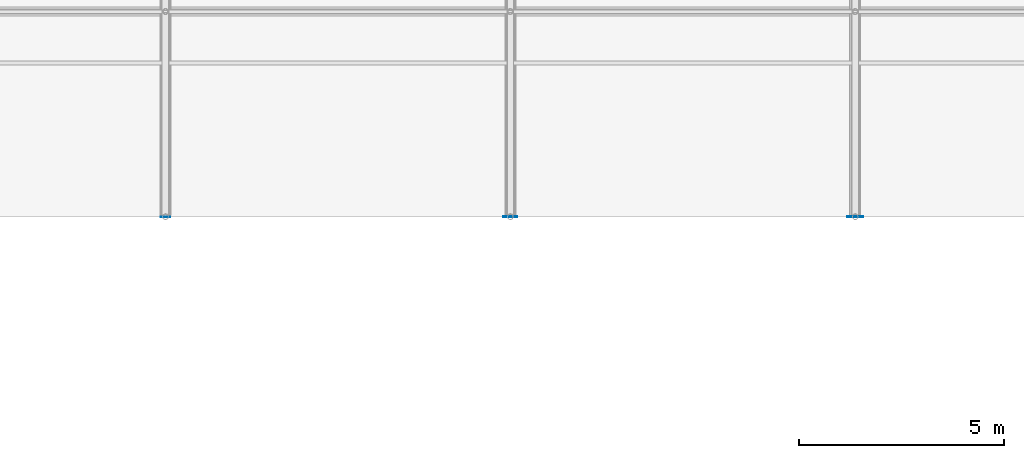
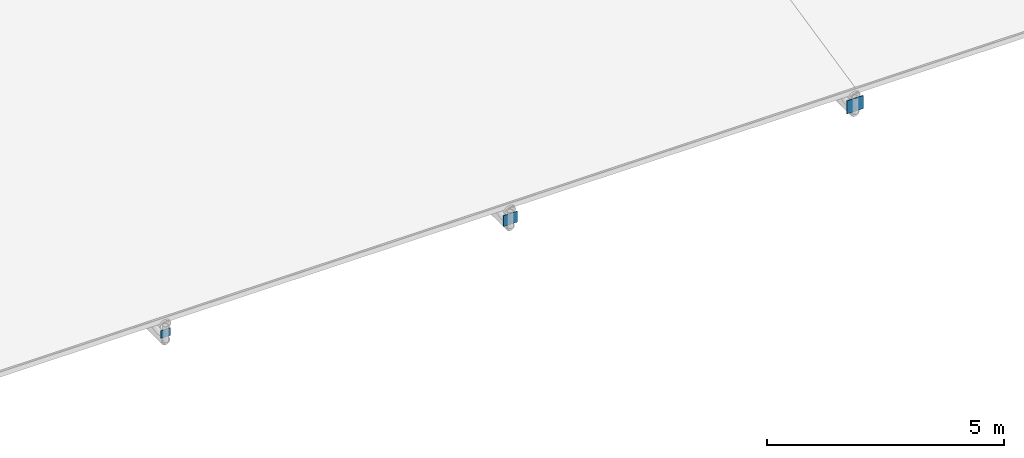
# One storey, part 169 of 194: 3 plates.
"""IFC4 building model written with IfcOpenShell, lengths in metres."""

from ifc_helpers import new_model, si_unit, direction, frame, origin, origin_2d, place, context, subcontext, project, spatial, rectangle, extrude, material, layer, layer_set, type_object, element, save


model = new_model("IFC4")

# Units and contexts
model_context = context("Model", 3, precision=1e-05, world=origin(), true_north=direction((0.0, 1.0)))
body_context = subcontext(model_context, "Body", "Model", "MODEL_VIEW")
ifc_project = project(units=[si_unit("LENGTHUNIT", "METRE"), si_unit("AREAUNIT", "SQUARE_METRE"), si_unit("VOLUMEUNIT", "CUBIC_METRE"), si_unit("PLANEANGLEUNIT", "RADIAN"), si_unit("MASSUNIT", "GRAM", prefix="KILO")], contexts=[model_context])

# Site, building, storey
site_placement = place(None, origin())
site = spatial("IfcSite", under=ifc_project, at=site_placement, CompositionType="ELEMENT")
building_placement = place(site_placement, origin())
building = spatial("IfcBuilding", under=site, at=building_placement, Name="Kazenagashi Tramway Depot", CompositionType="ELEMENT")
storey_placement = place(building_placement, frame((0.0, 0.0, 23.7)))
storey = spatial("IfcBuildingStorey", under=building, at=storey_placement, Name="ROOF", CompositionType="ELEMENT", Elevation=23.7)

# Plates
ifc_material = material(Name="Steel STK490", Category="steel")
ifc_layer_1 = layer(ifc_material, 0.012)
ifc_layer_set_1 = layer_set([ifc_layer_1], Name="Steel STK490")
plate_type_1 = type_object("IfcPlateType", Name="EC-08", PredefinedType="USERDEFINED", material=ifc_layer_set_1)
plate_1_placement = place(storey_placement, frame((103.6, 70.0, -14.0), z_axis=(0.0, 0.0, 1.0), x_axis=(1.0, 0.0, 0.0)))
element("IfcPlate", 1, at=plate_1_placement, inside=storey, type_object=plate_type_1, Name="Structural Node Plate EC-08 PLT-0031", ObjectType="END CAP PLATE", PredefinedType="USERDEFINED", context=body_context, shape_type="SweptSolid", body=[
    extrude(rectangle(XDim=0.24, YDim=0.012, at=origin_2d()), origin(), (0.0, 0.0, 1.0), 0.2),
])
ifc_layer_2 = layer(ifc_material, 0.015)
ifc_layer_set_2 = layer_set([ifc_layer_2], Name="Steel STK490")
plate_type_2 = type_object("IfcPlateType", Name="EC-09", PredefinedType="USERDEFINED", material=ifc_layer_set_2)
plate_2_placement = place(storey_placement, frame((112.0, 70.0, -14.04), z_axis=(0.0, 0.0, 1.0), x_axis=(1.0, 0.0, 0.0)))
element("IfcPlate", 2, at=plate_2_placement, inside=storey, type_object=plate_type_2, Name="Structural Node Plate EC-09 PLT-0035", ObjectType="END CAP PLATE", PredefinedType="USERDEFINED", context=body_context, shape_type="SweptSolid", body=[
    extrude(rectangle(XDim=0.34, YDim=0.015, at=origin_2d()), origin(), (0.0, 0.0, 1.0), 0.28),
])
ifc_layer_3 = layer(ifc_material, 0.018)
ifc_layer_set_3 = layer_set([ifc_layer_3], Name="Steel STK490")
plate_type_3 = type_object("IfcPlateType", Name="EC-10", PredefinedType="USERDEFINED", material=ifc_layer_set_3)
plate_3_placement = place(storey_placement, frame((120.4, 70.0, -14.07), z_axis=(0.0, 0.0, 1.0), x_axis=(1.0, 0.0, 0.0)))
element("IfcPlate", 3, at=plate_3_placement, inside=storey, type_object=plate_type_3, Name="Structural Node Plate EC-10 PLT-0039", ObjectType="END CAP PLATE", PredefinedType="USERDEFINED", context=body_context, shape_type="SweptSolid", body=[
    extrude(rectangle(XDim=0.4, YDim=0.018, at=origin_2d()), origin(), (0.0, 0.0, 1.0), 0.34),
])

save(model, "model.ifc")
